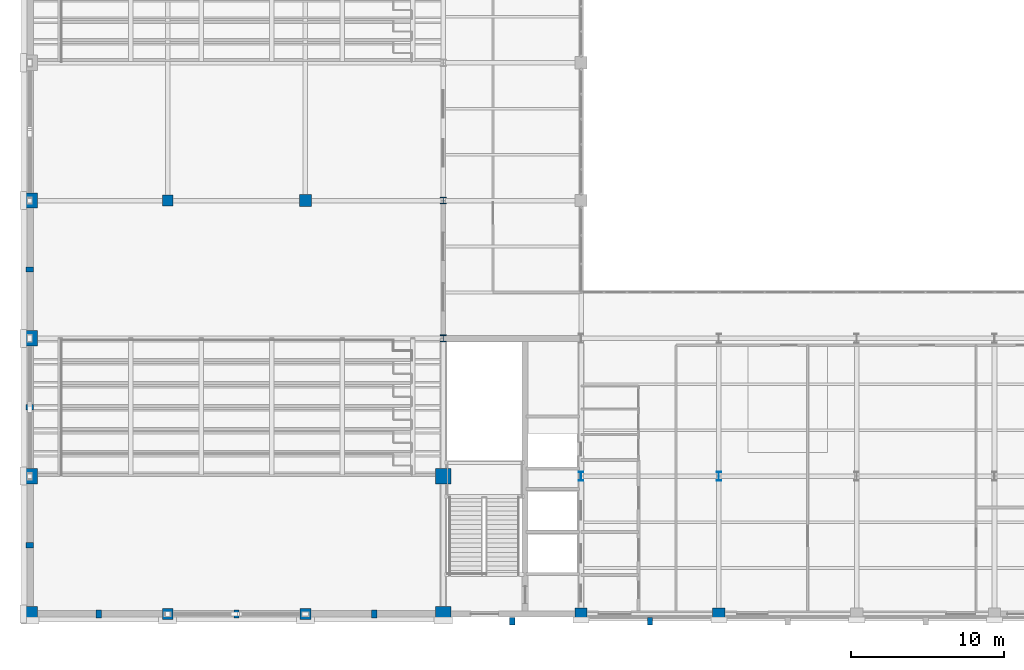
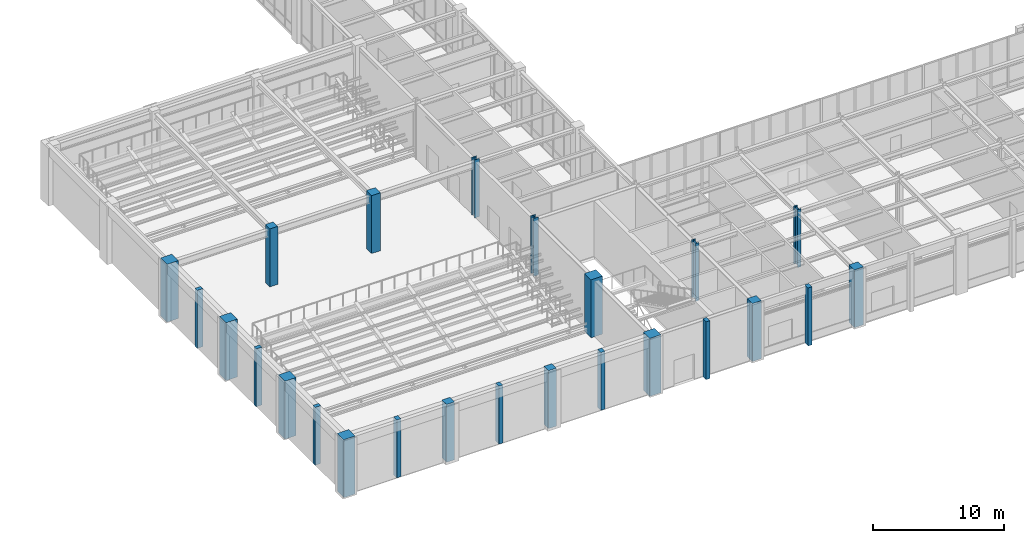
# One storey, part 1 of 77: 24 columns.
"""IFC4 building model written with IfcOpenShell, lengths in metres."""

from ifc_helpers import new_model, si_unit, direction, frame, origin, origin_2d, place, context, subcontext, project, spatial, rectangle, i_section, extrude, material, material_profile, profile_set, type_object, element, save


model = new_model("IFC4")

# Units and contexts
model_context = context("Model", 3, precision=1e-05, world=origin(), true_north=direction((0.0, 1.0)))
body_context = subcontext(model_context, "Body", "Model", "MODEL_VIEW")
ifc_project = project(units=[si_unit("LENGTHUNIT", "METRE"), si_unit("AREAUNIT", "SQUARE_METRE"), si_unit("VOLUMEUNIT", "CUBIC_METRE"), si_unit("PLANEANGLEUNIT", "RADIAN"), si_unit("MASSUNIT", "GRAM", prefix="KILO")], contexts=[model_context])

# Site, building, storey
site_placement = place(None, origin())
site = spatial("IfcSite", under=ifc_project, at=site_placement, CompositionType="ELEMENT")
building_placement = place(site_placement, origin())
building = spatial("IfcBuilding", under=site, at=building_placement, Name="Lykobir Media Centre", CompositionType="ELEMENT")
storey_placement = place(building_placement, origin())
storey = spatial("IfcBuildingStorey", under=building, at=storey_placement, Name="L00", CompositionType="ELEMENT", Elevation=0.0)

# Columns
ifc_material_1 = material(Name="Honed Travertine Stone", Category="masonry")
ifc_material_profile_1 = material_profile(ifc_material_1, rectangle(XDim=0.35009765625, YDim=0.5, at=origin_2d()), Name="RC PILASTER 500x350")
ifc_profile_set_1 = profile_set([ifc_material_profile_1], Name="Honed Travertine Stone")
column_type_1 = type_object("IfcColumnType", Name="PIL-500", PredefinedType="PILASTER", material=ifc_profile_set_1)
for number, where, z_axis, x_axis, name in (
    (1, (31.5, -0.47998046875, 0.0), (0.0, 0.0, 1.0), (1.0, 0.0, 0.0), "South Revak L00 colonnade pier 31.5"),
    (2, (40.5, -0.47998046875, 0.0), (0.0, 0.0, 1.0), (1.0, 0.0, 0.0), "South Revak L00 colonnade pier 40.5"),
    (3, (4.5, 0.0, 0.0), (0.0, 0.0, 1.0), (1.0, 0.0, 0.0), "V1 south pilaster L00 4.5"),
    (4, (13.5, 0.0, 0.0), (0.0, 0.0, 1.0), (1.0, 0.0, 0.0), "V1 south pilaster L00 13.5"),
    (5, (22.5, 0.0, 0.0), (0.0, 0.0, 1.0), (1.0, 0.0, 0.0), "V1 south pilaster L00 22.5"),
    (6, (0.0, 4.5, 0.0), (0.0, 0.0, 1.0), (0.0, 1.0, 0.0), "V1 west pilaster L00 4.5"),
    (7, (0.0, 13.5, 0.0), (0.0, 0.0, 1.0), (0.0, 1.0, 0.0), "V1 west pilaster L00 13.5"),
    (8, (0.0, 22.5, 0.0), (0.0, 0.0, 1.0), (0.0, 1.0, 0.0), "V1 west pilaster L00 22.5"),
):
    element("IfcColumn", number, at=place(storey_placement, frame(where, z_axis=z_axis, x_axis=x_axis)), inside=storey, type_object=column_type_1, Name=name, PredefinedType="PILASTER", context=body_context, shape_type="SweptSolid", body=[
        extrude(rectangle(XDim=0.35009765625, YDim=0.5, at=origin_2d()), origin(), (0.0, 0.0, 1.0), 5.39990234375),
    ])
ifc_material_2 = material(Name="Concrete C40/50", Category="concrete")
ifc_material_profile_2 = material_profile(ifc_material_2, rectangle(XDim=1.0, YDim=1.0, at=origin_2d()), Name="RC 1000x1000")
ifc_profile_set_2 = profile_set([ifc_material_profile_2], Name="Concrete C40/50")
column_type_2 = type_object("IfcColumnType", Name="RC-C1000", PredefinedType="COLUMN", material=ifc_profile_set_2)
column_1_placement = place(storey_placement, frame((27.0, 9.0, 0.0), z_axis=(0.0, 0.0, 1.0), x_axis=(1.0, 0.0, 0.0)))
element("IfcColumn", 9, at=column_1_placement, inside=storey, type_object=column_type_2, Name="Column COL-L00-0270-0090", PredefinedType="COLUMN", context=body_context, shape_type="SweptSolid", body=[
    extrude(rectangle(XDim=1.0, YDim=1.0, at=origin_2d()), origin(), (0.0, 0.0, 1.0), 5.39990234375),
])
ifc_material_profile_3 = material_profile(ifc_material_2, rectangle(XDim=1.0, YDim=1.0, at=origin_2d()), Name="RC 1000x1000")
ifc_profile_set_3 = profile_set([ifc_material_profile_3], Name="Concrete C40/50")
column_type_3 = type_object("IfcColumnType", Name="RC-C1000-E", PredefinedType="COLUMN", material=ifc_profile_set_3)
for number, where, z_axis, x_axis, name in (
    (10, (0.0, 0.0, 0.0), (0.0, 0.0, 1.0), (1.0, 0.0, 0.0), "Column COL-L00-0000-0000"),
    (11, (0.0, 9.0, 0.0), (0.0, 0.0, 1.0), (1.0, 0.0, 0.0), "Column COL-L00-0000-0090"),
    (12, (0.0, 18.0, 0.0), (0.0, 0.0, 1.0), (1.0, 0.0, 0.0), "Column COL-L00-0000-0180"),
    (13, (0.0, 27.0, 0.0), (0.0, 0.0, 1.0), (1.0, 0.0, 0.0), "Column COL-L00-0000-0270"),
    (14, (27.0, 0.0, 0.0), (0.0, 0.0, 1.0), (1.0, 0.0, 0.0), "Column COL-L00-0270-0000"),
):
    element("IfcColumn", number, at=place(storey_placement, frame(where, z_axis=z_axis, x_axis=x_axis)), inside=storey, type_object=column_type_3, Name=name, PredefinedType="COLUMN", context=body_context, shape_type="SweptSolid", body=[
        extrude(rectangle(XDim=1.0, YDim=1.0, at=origin_2d()), origin(), (0.0, 0.0, 1.0), 5.39990234375),
    ])
ifc_material_profile_4 = material_profile(ifc_material_2, rectangle(XDim=0.699951171875, YDim=0.699951171875, at=origin_2d()), Name="RC 700x700")
ifc_profile_set_4 = profile_set([ifc_material_profile_4], Name="Concrete C40/50")
column_type_4 = type_object("IfcColumnType", Name="RC-C700", PredefinedType="COLUMN", material=ifc_profile_set_4)
column_2_placement = place(storey_placement, frame((9.0, 27.0, 0.0), z_axis=(0.0, 0.0, 1.0), x_axis=(1.0, 0.0, 0.0)))
element("IfcColumn", 15, at=column_2_placement, inside=storey, type_object=column_type_4, Name="Column COL-L00-0090-0270", PredefinedType="COLUMN", context=body_context, shape_type="SweptSolid", body=[
    extrude(rectangle(XDim=0.699951171875, YDim=0.699951171875, at=origin_2d()), origin(), (0.0, 0.0, 1.0), 5.39990234375),
])
ifc_material_profile_5 = material_profile(ifc_material_2, rectangle(XDim=0.699951171875, YDim=0.699951171875, at=origin_2d()), Name="RC 700x700")
ifc_profile_set_5 = profile_set([ifc_material_profile_5], Name="Concrete C40/50")
column_type_5 = type_object("IfcColumnType", Name="RC-C700-E", PredefinedType="COLUMN", material=ifc_profile_set_5)
for number, where, z_axis, x_axis, name in (
    (16, (9.0, 0.0, 0.0), (0.0, 0.0, 1.0), (1.0, 0.0, 0.0), "Column COL-L00-0090-0000"),
    (17, (18.0, 0.0, 0.0), (0.0, 0.0, 1.0), (1.0, 0.0, 0.0), "Column COL-L00-0180-0000"),
):
    element("IfcColumn", number, at=place(storey_placement, frame(where, z_axis=z_axis, x_axis=x_axis)), inside=storey, type_object=column_type_5, Name=name, PredefinedType="COLUMN", context=body_context, shape_type="SweptSolid", body=[
        extrude(rectangle(XDim=0.699951171875, YDim=0.699951171875, at=origin_2d()), origin(), (0.0, 0.0, 1.0), 5.39990234375),
    ])
ifc_material_profile_6 = material_profile(ifc_material_2, rectangle(XDim=0.800048828125, YDim=0.800048828125, at=origin_2d()), Name="RC 800x800")
ifc_profile_set_6 = profile_set([ifc_material_profile_6], Name="Concrete C40/50")
column_type_6 = type_object("IfcColumnType", Name="RC-C800", PredefinedType="COLUMN", material=ifc_profile_set_6)
column_3_placement = place(storey_placement, frame((18.0, 27.0, 0.0), z_axis=(0.0, 0.0, 1.0), x_axis=(1.0, 0.0, 0.0)))
element("IfcColumn", 18, at=column_3_placement, inside=storey, type_object=column_type_6, Name="Column COL-L00-0180-0270", PredefinedType="COLUMN", context=body_context, shape_type="SweptSolid", body=[
    extrude(rectangle(XDim=0.800048828125, YDim=0.800048828125, at=origin_2d()), origin(), (0.0, 0.0, 1.0), 5.39990234375),
])
ifc_material_profile_7 = material_profile(ifc_material_2, rectangle(XDim=0.800048828125, YDim=0.800048828125, at=origin_2d()), Name="RC 800x800")
ifc_profile_set_7 = profile_set([ifc_material_profile_7], Name="Concrete C40/50")
column_type_7 = type_object("IfcColumnType", Name="RC-C800-E", PredefinedType="COLUMN", material=ifc_profile_set_7)
for number, where, z_axis, x_axis, name in (
    (19, (36.0, 0.0, 0.0), (0.0, 0.0, 1.0), (1.0, 0.0, 0.0), "Column COL-L00-0360-0000"),
    (20, (45.0, 0.0, 0.0), (0.0, 0.0, 1.0), (1.0, 0.0, 0.0), "Column COL-L00-0450-0000"),
):
    element("IfcColumn", number, at=place(storey_placement, frame(where, z_axis=z_axis, x_axis=x_axis)), inside=storey, type_object=column_type_7, Name=name, PredefinedType="COLUMN", context=body_context, shape_type="SweptSolid", body=[
        extrude(rectangle(XDim=0.800048828125, YDim=0.800048828125, at=origin_2d()), origin(), (0.0, 0.0, 1.0), 5.39990234375),
    ])
ifc_material_3 = material(Name="Steel S355", Category="steel")
ifc_material_profile_8 = material_profile(ifc_material_3, i_section(OverallWidth=0.416015625, OverallDepth=0.446044921875, WebThickness=0.02490234375, FlangeThickness=0.0400390625, at=origin_2d()), Name="HD 400x509")
ifc_profile_set_8 = profile_set([ifc_material_profile_8], Name="Steel S355")
column_type_8 = type_object("IfcColumnType", Name="SC-HD509", PredefinedType="COLUMN", material=ifc_profile_set_8)
for number, where, z_axis, x_axis, name in (
    (21, (27.0, 18.0, 0.0), (0.0, 0.0, 1.0), (1.0, 0.0, 0.0), "Column COL-L00-0270-0180"),
    (22, (27.0, 27.0, 0.0), (0.0, 0.0, 1.0), (1.0, 0.0, 0.0), "Column COL-L00-0270-0270"),
):
    element("IfcColumn", number, at=place(storey_placement, frame(where, z_axis=z_axis, x_axis=x_axis)), inside=storey, type_object=column_type_8, Name=name, PredefinedType="COLUMN", context=body_context, shape_type="SweptSolid", body=[
        extrude(i_section(OverallWidth=0.416015625, OverallDepth=0.446044921875, WebThickness=0.02490234375, FlangeThickness=0.0400390625, at=origin_2d()), origin(), (0.0, 0.0, 1.0), 5.39990234375),
    ])
ifc_material_profile_9 = material_profile(ifc_material_3, i_section(OverallWidth=0.300048828125, OverallDepth=0.60009765625, WebThickness=0.015380859375, FlangeThickness=0.030029296875, at=origin_2d()), Name="HEB 600")
ifc_profile_set_9 = profile_set([ifc_material_profile_9], Name="Steel S355")
column_type_9 = type_object("IfcColumnType", Name="SC-HEB600", PredefinedType="COLUMN", material=ifc_profile_set_9)
for number, where, z_axis, x_axis, name in (
    (23, (36.0, 9.0, 0.0), (0.0, 0.0, 1.0), (1.0, 0.0, 0.0), "Column COL-L00-0360-0090"),
    (24, (45.0, 9.0, 0.0), (0.0, 0.0, 1.0), (1.0, 0.0, 0.0), "Column COL-L00-0450-0090"),
):
    element("IfcColumn", number, at=place(storey_placement, frame(where, z_axis=z_axis, x_axis=x_axis)), inside=storey, type_object=column_type_9, Name=name, PredefinedType="COLUMN", context=body_context, shape_type="SweptSolid", body=[
        extrude(i_section(OverallWidth=0.300048828125, OverallDepth=0.60009765625, WebThickness=0.015380859375, FlangeThickness=0.030029296875, at=origin_2d()), origin(), (0.0, 0.0, 1.0), 5.39990234375),
    ])

save(model, "model.ifc")
